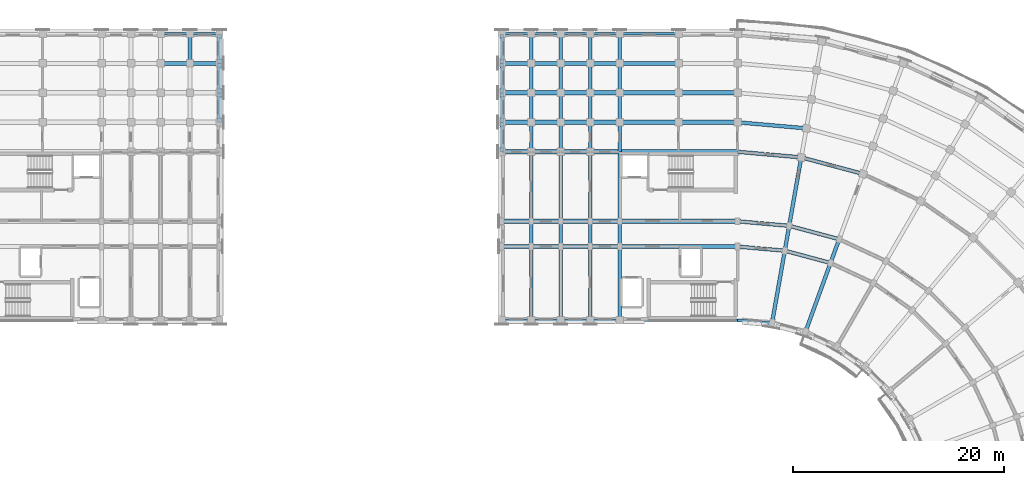
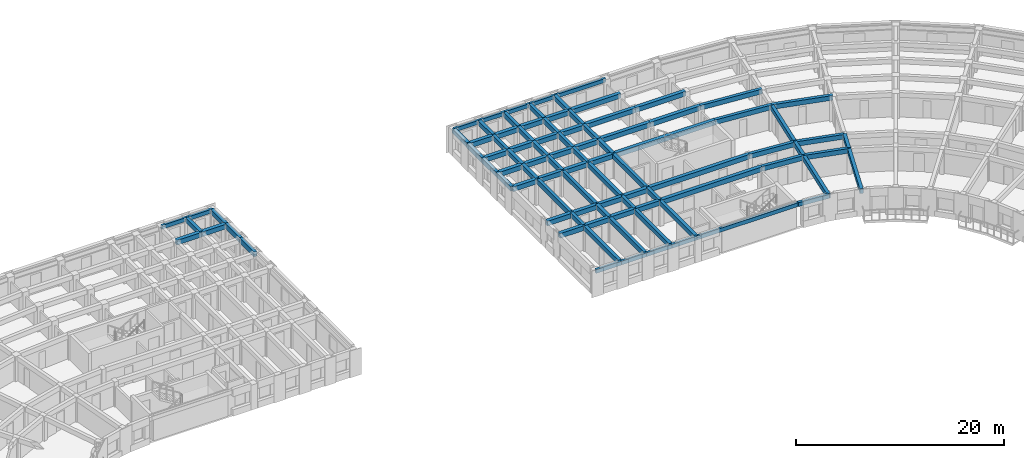
# One storey, part 10 of 54: 95 beams.
"""IFC4 building model written with IfcOpenShell, lengths in metres."""

import ifcopenshell
import ifcopenshell.guid

model = None  # the IFC model being written
_history = None  # IfcOwnerHistory: only IFC2X3 demands one
_inside = {}  # id of a spatial element -> (the spatial element, [elements in it])
_under = {}  # id of a project, library or spatial element -> (it, [spatial elements below it])
_declared = {}  # id of a project -> (the project, [libraries it declares])
_typed = {}  # id of a type object -> (the type object, [elements of that type])
_made_of = {}  # id of a material, layer set ... -> (it, [elements and type objects made of it])


def new_model(schema):
    """Start an empty IFC model of exactly this schema.

    Asked for "IFC4X3", IfcOpenShell would pick the latest addendum, in which some entities
    have other attributes; the version numbers below select the first issue.
    IFC2X3 requires an IfcOwnerHistory on every rooted entity: one is made here for all.
    """
    global model, _history
    if schema == "IFC4X3":
        model = ifcopenshell.file(schema_version=(4, 3, 0, 0))
    else:
        model = ifcopenshell.file(schema=schema)
    _inside.clear()
    _under.clear()
    _declared.clear()
    _typed.clear()
    _made_of.clear()
    _history = None
    if model.schema == "IFC2X3":
        org = make("IfcOrganization", Name="unknown")
        user = make(
            "IfcPersonAndOrganization",
            ThePerson=make("IfcPerson", FamilyName="unknown"),
            TheOrganization=org,
        )
        app = make(
            "IfcApplication",
            ApplicationDeveloper=org,
            Version="unknown",
            ApplicationFullName="unknown",
            ApplicationIdentifier="unknown",
        )
        _history = make(
            "IfcOwnerHistory",
            OwningUser=user,
            OwningApplication=app,
            ChangeAction="ADDED",
            CreationDate=0,
        )
    return model


def make(cls, **values):
    """One entity of the class cls with the attributes given. An attribute that is None is left unset."""
    return model.create_entity(
        cls, **{name: value for name, value in values.items() if value is not None}
    )


def rooted(cls, **values):
    """An entity with a GlobalId (a new one), such as an element, a storey or a relation."""
    return make(cls, GlobalId=ifcopenshell.guid.new(), OwnerHistory=_history, **values)


def si_unit(unit_type, name, prefix=None):
    """IfcSIUnit, for example si_unit("LENGTHUNIT", "METRE", prefix="MILLI")."""
    return make("IfcSIUnit", UnitType=unit_type, Prefix=prefix, Name=name)


def assignment(units):
    """IfcUnitAssignment: the units of a project."""
    return None if units is None else make("IfcUnitAssignment", Units=units)


def point(xyz):
    """IfcCartesianPoint."""
    return None if xyz is None else make("IfcCartesianPoint", Coordinates=xyz)


def direction(xyz):
    """IfcDirection."""
    return None if xyz is None else make("IfcDirection", DirectionRatios=xyz)


def frame(location, z_axis=None, x_axis=None):
    """IfcAxis2Placement3D, a coordinate frame: its origin and axes. An axis left out is left unset."""
    return make(
        "IfcAxis2Placement3D",
        Location=point(location),
        Axis=direction(z_axis),
        RefDirection=direction(x_axis),
    )


def frame_2d(location, x_axis=None):
    """IfcAxis2Placement2D, a coordinate frame in the plane: its origin and x axis."""
    return make(
        "IfcAxis2Placement2D", Location=point(location), RefDirection=direction(x_axis)
    )


def origin():
    """The frame at (0, 0, 0) with its axes left unset."""
    return frame((0.0, 0.0, 0.0))


def origin_2d():
    """The frame at (0, 0) in the plane with its x axis left unset."""
    return frame_2d((0.0, 0.0))


def place(relative_to, where):
    """IfcLocalPlacement: puts the frame where relative to a parent placement (None: the world)."""
    return make(
        "IfcLocalPlacement", PlacementRelTo=relative_to, RelativePlacement=where
    )


def context(
    kind, dimensions, precision=None, world=None, true_north=None, identifier=None
):
    """IfcGeometricRepresentationContext, for example the 3D "Model" context."""
    return make(
        "IfcGeometricRepresentationContext",
        ContextIdentifier=identifier,
        ContextType=kind,
        CoordinateSpaceDimension=dimensions,
        Precision=precision,
        WorldCoordinateSystem=world,
        TrueNorth=true_north,
    )


def subcontext(parent, identifier, kind, view, scale=None):
    """IfcGeometricRepresentationSubContext, for example "Body" below "Model"."""
    return make(
        "IfcGeometricRepresentationSubContext",
        ContextIdentifier=identifier,
        ContextType=kind,
        ParentContext=parent,
        TargetScale=scale,
        TargetView=view,
    )


def project(units=None, contexts=None):
    """IfcProject with its units and contexts."""
    return rooted(
        "IfcProject",
        Name="project",
        RepresentationContexts=contexts,
        UnitsInContext=assignment(units),
    )


def spatial(cls, under=None, at=None, **own):
    """A site, building, storey or space (cls), placed at a placement, below another one or the project."""
    s = rooted(cls, ObjectPlacement=at, **own)
    if under is not None:
        _under.setdefault(under.id(), (under, []))[1].append(s)
    return s


def profile(cls, at=None, kind="AREA", **sizes):
    """A parametric profile (cls). Its sizes go by their IFC names, for example OverallWidth=200.0."""
    return make(cls, ProfileType=kind, Position=at, **sizes)


def rectangle(**sizes):
    """IfcRectangleProfileDef."""
    return profile("IfcRectangleProfileDef", **sizes)


def extrude(swept, where, along, depth):
    """IfcExtrudedAreaSolid: the profile swept, set in the frame where, extruded along a direction by depth."""
    return make(
        "IfcExtrudedAreaSolid",
        SweptArea=swept,
        Position=where,
        ExtrudedDirection=direction(along),
        Depth=depth,
    )


def shape(context_of_items, identifier, shape_type, items):
    """IfcShapeRepresentation: the items that make up one representation, for example the "Body"."""
    return make(
        "IfcShapeRepresentation",
        ContextOfItems=context_of_items,
        RepresentationIdentifier=identifier,
        RepresentationType=shape_type,
        Items=items,
    )


def material(Name=None, Category=None):
    """IfcMaterial."""
    return make("IfcMaterial", Name=Name, Category=Category)


def material_profile(
    of_material, cross_section, Name=None, Category=None, Priority=None
):
    """IfcMaterialProfile: a cross section and its material."""
    return make(
        "IfcMaterialProfile",
        Name=Name,
        Material=of_material,
        Profile=cross_section,
        Priority=Priority,
        Category=Category,
    )


def profile_set(profiles, Name=None, composite=None):
    """IfcMaterialProfileSet."""
    return make(
        "IfcMaterialProfileSet",
        Name=Name,
        MaterialProfiles=profiles,
        CompositeProfile=composite,
    )


def made_of(thing, what):
    """Note that an element or type object is made of a material, layer set ...; save() writes the relation."""
    if what is not None:
        _made_of.setdefault(what.id(), (what, []))[1].append(thing)
    return thing


def type_object(cls, material=None, **own):
    """A type object (cls), such as IfcWallType, which elements share."""
    return made_of(rooted(cls, **own), material)


def element(
    cls,
    number,
    at=None,
    inside=None,
    cuts=None,
    type_object=None,
    material=None,
    context=None,
    identifier="Body",
    shape_type=None,
    held_by="IfcProductDefinitionShape",
    body=None,
    shapes=None,
    **own,
):
    """One element of the class cls, such as IfcWall. Its Tag is "e" and its number.

    at: its placement. inside: the storey or other place that contains it. cuts: it is an
    opening in that element (IfcRelVoidsElement). A single representation is given by context,
    identifier, shape_type and body (its items); several are given by shapes. held_by: the class
    of the entity that holds the representations. save() writes the other relations.
    """
    e = rooted(cls, Tag="e%d" % number, ObjectPlacement=at, **own)
    if body is not None:
        shapes = [shape(context, identifier, shape_type, body)]
    if shapes is not None:
        e.Representation = make(held_by, Representations=shapes)
    if inside is not None:
        _inside.setdefault(inside.id(), (inside, []))[1].append(e)
    if cuts is not None:
        rooted(
            "IfcRelVoidsElement", RelatingBuildingElement=cuts, RelatedOpeningElement=e
        )
    if type_object is not None:
        _typed.setdefault(type_object.id(), (type_object, []))[1].append(e)
    return made_of(e, material)


def aggregate(whole, parts):
    """IfcRelAggregates: a whole, such as a stair, and the parts it consists of."""
    return rooted("IfcRelAggregates", RelatingObject=whole, RelatedObjects=parts)


def save(model, path):
    """Write the relations noted so far, then the file.

    IfcRelAggregates (storeys below a building ...), IfcRelContainedInSpatialStructure (elements
    in a storey), IfcRelDefinesByType, IfcRelAssociatesMaterial and IfcRelDeclares: one each for
    every whole, place, type object, material and project.
    """
    for whole, parts in _under.values():
        aggregate(whole, parts)
    for where, things in _inside.values():
        rooted(
            "IfcRelContainedInSpatialStructure",
            RelatedElements=things,
            RelatingStructure=where,
        )
    for kind, things in _typed.values():
        rooted("IfcRelDefinesByType", RelatedObjects=things, RelatingType=kind)
    for what, things in _made_of.values():
        rooted("IfcRelAssociatesMaterial", RelatedObjects=things, RelatingMaterial=what)
    for by, libraries in _declared.values():
        rooted("IfcRelDeclares", RelatingContext=by, RelatedDefinitions=libraries)
    model.write(path)


model = new_model("IFC4")

# Units and contexts
model_context = context("Model", 3, precision=1e-05, world=origin(), true_north=direction((0.0, 1.0)))
body_context = subcontext(model_context, "Body", "Model", "MODEL_VIEW")
ifc_project = project(units=[si_unit("LENGTHUNIT", "METRE"), si_unit("AREAUNIT", "SQUARE_METRE"), si_unit("VOLUMEUNIT", "CUBIC_METRE"), si_unit("PLANEANGLEUNIT", "RADIAN"), si_unit("MASSUNIT", "GRAM", prefix="KILO")], contexts=[model_context])

# Site, building, storey
site_placement = place(None, origin())
site = spatial("IfcSite", under=ifc_project, at=site_placement, CompositionType="ELEMENT")
building_placement = place(site_placement, origin())
building = spatial("IfcBuilding", under=site, at=building_placement, Name="Kiranvali Square Residences", CompositionType="ELEMENT")
storey_placement = place(building_placement, frame((0.0, 0.0, 27.60009765625)))
storey = spatial("IfcBuildingStorey", under=building, at=storey_placement, Name="L08", CompositionType="ELEMENT", Elevation=27.60009765625)

# Beams
ifc_material_1 = material(Name="Concrete M40 (40 MPa)", Category="concrete")
ifc_material_profile_1 = material_profile(ifc_material_1, rectangle(XDim=0.35009765625, YDim=0.550048828125, at=origin_2d()), Name="RC 350x550")
ifc_profile_set_1 = profile_set([ifc_material_profile_1], Name="Concrete M40 (40 MPa)")
beam_type_1 = type_object("IfcBeamType", Name="BM-M40-350x550", PredefinedType="BEAM", material=ifc_profile_set_1)
for number, where, z_axis, x_axis, name in (
    (1, (67.800048828125, 131.0, 2.65478515625), (0.0, 1.0, 0.0), (-1.0, 0.0, 0.0), "L08 beam BM-A-L08-A1T4-67"),
    (2, (70.60009765625, 125.39990234375, 2.65478515625), (0.0, 1.0, 0.0), (-1.0, 0.0, 0.0), "L08 beam BM-A-L08-A1T5-45"),
    (3, (70.60009765625, 128.199951171875, 2.65478515625), (0.0, 1.0, 0.0), (-1.0, 0.0, 0.0), "L08 beam BM-A-L08-A1T5-56"),
    (4, (70.60009765625, 131.0, 2.65478515625), (0.0, 1.0, 0.0), (-1.0, 0.0, 0.0), "L08 beam BM-A-L08-A1T5-67"),
):
    element("IfcBeam", number, at=place(storey_placement, frame(where, z_axis=z_axis, x_axis=x_axis)), inside=storey, type_object=beam_type_1, Name=name, PredefinedType="BEAM", context=body_context, shape_type="SweptSolid", body=[
        extrude(rectangle(XDim=0.35009765625, YDim=0.550048828125, at=origin_2d()), origin(), (0.0, 0.0, 1.0), 2.800048828125),
    ])
beam_1_placement = place(storey_placement, frame((119.800048828125, 113.60009765625, 2.65478515625), z_axis=(0.996191949488, -0.087187153726, 0.0), x_axis=(0.087187153726, 0.996191949488, 0.0)))
element("IfcBeam", 5, at=beam_1_placement, inside=storey, type_object=beam_type_1, Name="L08 beam BM-B-L08-C00-R1", PredefinedType="BEAM", context=body_context, shape_type="SweptSolid", body=[
    extrude(rectangle(XDim=0.35009765625, YDim=0.550048828125, at=origin_2d()), origin(), (0.0, 0.0, 1.0), 4.4970703125),
])
beam_2_placement = place(storey_placement, frame((119.800048828125, 116.0, 2.65478515625), z_axis=(0.996193663584, -0.087167566415, 0.0), x_axis=(0.087167566415, 0.996193663584, 0.0)))
element("IfcBeam", 6, at=beam_2_placement, inside=storey, type_object=beam_type_1, Name="L08 beam BM-B-L08-C00-R2", PredefinedType="BEAM", context=body_context, shape_type="SweptSolid", body=[
    extrude(rectangle(XDim=0.35009765625, YDim=0.550048828125, at=origin_2d()), origin(), (0.0, 0.0, 1.0), 4.91552734375),
])
beam_3_placement = place(storey_placement, frame((119.800048828125, 122.60009765625, 2.65478515625), z_axis=(0.996193018494, -0.087174938512, 0.0), x_axis=(0.087174938512, 0.996193018494, 0.0)))
element("IfcBeam", 7, at=beam_3_placement, inside=storey, type_object=beam_type_1, Name="L08 beam BM-B-L08-C00-R3", PredefinedType="BEAM", context=body_context, shape_type="SweptSolid", body=[
    extrude(rectangle(XDim=0.35009765625, YDim=0.550048828125, at=origin_2d()), origin(), (0.0, 0.0, 1.0), 6.066162109375),
])
beam_4_placement = place(storey_placement, frame((119.800048828125, 125.39990234375, 2.65478515625), z_axis=(0.996196991902, -0.0871295204, 0.0), x_axis=(0.0871295204, 0.996196991902, 0.0)))
element("IfcBeam", 8, at=beam_4_placement, inside=storey, type_object=beam_type_1, Name="L08 beam BM-B-L08-C00-R4", PredefinedType="BEAM", context=body_context, shape_type="SweptSolid", body=[
    extrude(rectangle(XDim=0.35009765625, YDim=0.550048828125, at=origin_2d()), origin(), (0.0, 0.0, 1.0), 6.553955078125),
])
beam_5_placement = place(storey_placement, frame((124.280029296875, 113.2080078125, 2.65478515625), z_axis=(0.965934240054, -0.258787642463, 0.0), x_axis=(0.258787642463, 0.965934240054, 0.0)))
element("IfcBeam", 9, at=beam_5_placement, inside=storey, type_object=beam_type_1, Name="L08 beam BM-B-L08-C01-R1", PredefinedType="BEAM", context=body_context, shape_type="SweptSolid", body=[
    extrude(rectangle(XDim=0.35009765625, YDim=0.550048828125, at=origin_2d()), origin(), (0.0, 0.0, 1.0), 4.497314453125),
])
beam_6_placement = place(storey_placement, frame((124.69677734375, 115.571533203125, 2.65478515625), z_axis=(0.965930095386, -0.258803112091, 0.0), x_axis=(0.258803112091, 0.965930095386, 0.0)))
element("IfcBeam", 10, at=beam_6_placement, inside=storey, type_object=beam_type_1, Name="L08 beam BM-B-L08-C01-R2", PredefinedType="BEAM", context=body_context, shape_type="SweptSolid", body=[
    extrude(rectangle(XDim=0.35009765625, YDim=0.550048828125, at=origin_2d()), origin(), (0.0, 0.0, 1.0), 4.915771484375),
])
beam_7_placement = place(storey_placement, frame((125.843017578125, 122.0712890625, 2.65478515625), z_axis=(0.965923618901, -0.258827283048, 0.0), x_axis=(0.258827283048, 0.965923618901, 0.0)))
element("IfcBeam", 11, at=beam_7_placement, inside=storey, type_object=beam_type_1, Name="L08 beam BM-B-L08-C01-R3", PredefinedType="BEAM", context=body_context, shape_type="SweptSolid", body=[
    extrude(rectangle(XDim=0.35009765625, YDim=0.550048828125, at=origin_2d()), origin(), (0.0, 0.0, 1.0), 6.066162109375),
])
beam_8_placement = place(storey_placement, frame((123.064697265625, 106.314453125, 2.65478515625), z_axis=(0.173622177865, 0.984812337125, 0.0), x_axis=(-0.984812337125, 0.173622177865, 0.0)))
element("IfcBeam", 12, at=beam_8_placement, inside=storey, type_object=beam_type_1, Name="L08 beam BM-B-L08-RAD01-01", PredefinedType="BEAM", context=body_context, shape_type="SweptSolid", body=[
    extrude(rectangle(XDim=0.35009765625, YDim=0.550048828125, at=origin_2d()), origin(), (0.0, 0.0, 1.0), 6.999755859375),
])
beam_9_placement = place(storey_placement, frame((124.280029296875, 113.2080078125, 2.65478515625), z_axis=(0.173646056486, 0.984808127031, 0.0), x_axis=(-0.984808127031, 0.173646056486, 0.0)))
element("IfcBeam", 13, at=beam_9_placement, inside=storey, type_object=beam_type_1, Name="L08 beam BM-B-L08-RAD01-12", PredefinedType="BEAM", context=body_context, shape_type="SweptSolid", body=[
    extrude(rectangle(XDim=0.35009765625, YDim=0.550048828125, at=origin_2d()), origin(), (0.0, 0.0, 1.0), 2.39990234375),
])
beam_10_placement = place(storey_placement, frame((124.69677734375, 115.571533203125, 2.65478515625), z_axis=(0.173671381499, 0.984803661269, 0.0), x_axis=(-0.984803661269, 0.173671381499, 0.0)))
element("IfcBeam", 14, at=beam_10_placement, inside=storey, type_object=beam_type_1, Name="L08 beam BM-B-L08-RAD01-23", PredefinedType="BEAM", context=body_context, shape_type="SweptSolid", body=[
    extrude(rectangle(XDim=0.35009765625, YDim=0.550048828125, at=origin_2d()), origin(), (0.0, 0.0, 1.0), 6.60009765625),
])
beam_11_placement = place(storey_placement, frame((126.22998046875, 105.46630859375, 2.65478515625), z_axis=(0.342006283793, 0.939697665127, 0.0), x_axis=(-0.939697665127, 0.342006283793, 0.0)))
element("IfcBeam", 15, at=beam_11_placement, inside=storey, type_object=beam_type_1, Name="L08 beam BM-B-L08-RAD02-01", PredefinedType="BEAM", context=body_context, shape_type="SweptSolid", body=[
    extrude(rectangle(XDim=0.35009765625, YDim=0.550048828125, at=origin_2d()), origin(), (0.0, 0.0, 1.0), 7.0),
])
beam_12_placement = place(storey_placement, frame((128.6240234375, 112.044189453125, 2.65478515625), z_axis=(0.342110593602, 0.939659694648, 0.0), x_axis=(-0.939659694648, 0.342110593602, 0.0)))
element("IfcBeam", 16, at=beam_12_placement, inside=storey, type_object=beam_type_1, Name="L08 beam BM-B-L08-RAD02-12", PredefinedType="BEAM", context=body_context, shape_type="SweptSolid", body=[
    extrude(rectangle(XDim=0.35009765625, YDim=0.550048828125, at=origin_2d()), origin(), (0.0, 0.0, 1.0), 2.39990234375),
])
beam_13_placement = place(storey_placement, frame((108.60009765625, 106.60009765625, 2.65478515625), z_axis=(0.0, 1.0, 0.0), x_axis=(-1.0, 0.0, 0.0)))
element("IfcBeam", 17, at=beam_13_placement, inside=storey, type_object=beam_type_1, Name="L08 beam BM-B-L08-A1T1-01", PredefinedType="BEAM", context=body_context, shape_type="SweptSolid", body=[
    extrude(rectangle(XDim=0.35009765625, YDim=0.550048828125, at=origin_2d()), origin(), (0.0, 0.0, 1.0), 7.0),
])
beam_14_placement = place(storey_placement, frame((108.60009765625, 113.60009765625, 2.65478515625), z_axis=(0.0, 1.0, 0.0), x_axis=(-1.0, 0.0, 0.0)))
element("IfcBeam", 18, at=beam_14_placement, inside=storey, type_object=beam_type_1, Name="L08 beam BM-B-L08-A1T1-12", PredefinedType="BEAM", context=body_context, shape_type="SweptSolid", body=[
    extrude(rectangle(XDim=0.35009765625, YDim=0.550048828125, at=origin_2d()), origin(), (0.0, 0.0, 1.0), 2.39990234375),
])
beam_15_placement = place(storey_placement, frame((108.60009765625, 116.0, 2.65478515625), z_axis=(0.0, 1.0, 0.0), x_axis=(-1.0, 0.0, 0.0)))
element("IfcBeam", 19, at=beam_15_placement, inside=storey, type_object=beam_type_1, Name="L08 beam BM-B-L08-A1T1-23", PredefinedType="BEAM", context=body_context, shape_type="SweptSolid", body=[
    extrude(rectangle(XDim=0.35009765625, YDim=0.550048828125, at=origin_2d()), origin(), (0.0, 0.0, 1.0), 6.60009765625),
])
beam_16_placement = place(storey_placement, frame((108.60009765625, 122.60009765625, 2.65478515625), z_axis=(0.0, 1.0, 0.0), x_axis=(-1.0, 0.0, 0.0)))
element("IfcBeam", 20, at=beam_16_placement, inside=storey, type_object=beam_type_1, Name="L08 beam BM-B-L08-A1T1-34", PredefinedType="BEAM", context=body_context, shape_type="SweptSolid", body=[
    extrude(rectangle(XDim=0.35009765625, YDim=0.550048828125, at=origin_2d()), origin(), (0.0, 0.0, 1.0), 2.7998046875),
])
for number, where, z_axis, x_axis, name in (
    (21, (108.60009765625, 125.39990234375, 2.65478515625), (0.0, 1.0, 0.0), (-1.0, 0.0, 0.0), "L08 beam BM-B-L08-A1T1-45"),
    (22, (108.60009765625, 128.199951171875, 2.65478515625), (0.0, 1.0, 0.0), (-1.0, 0.0, 0.0), "L08 beam BM-B-L08-A1T1-56"),
    (23, (108.60009765625, 131.0, 2.69482421875), (0.0, 1.0, 0.0), (-1.0, 0.0, 0.0), "L08 beam BM-B-L08-A1T1-67"),
):
    element("IfcBeam", number, at=place(storey_placement, frame(where, z_axis=z_axis, x_axis=x_axis)), inside=storey, type_object=beam_type_1, Name=name, PredefinedType="BEAM", context=body_context, shape_type="SweptSolid", body=[
        extrude(rectangle(XDim=0.35009765625, YDim=0.550048828125, at=origin_2d()), origin(), (0.0, 0.0, 1.0), 2.800048828125),
    ])
beam_17_placement = place(storey_placement, frame((105.800048828125, 106.60009765625, 2.65478515625), z_axis=(0.0, 1.0, 0.0), x_axis=(-1.0, 0.0, 0.0)))
element("IfcBeam", 24, at=beam_17_placement, inside=storey, type_object=beam_type_1, Name="L08 beam BM-B-L08-A1T2-01", PredefinedType="BEAM", context=body_context, shape_type="SweptSolid", body=[
    extrude(rectangle(XDim=0.35009765625, YDim=0.550048828125, at=origin_2d()), origin(), (0.0, 0.0, 1.0), 7.0),
])
beam_18_placement = place(storey_placement, frame((105.800048828125, 113.60009765625, 2.65478515625), z_axis=(0.0, 1.0, 0.0), x_axis=(-1.0, 0.0, 0.0)))
element("IfcBeam", 25, at=beam_18_placement, inside=storey, type_object=beam_type_1, Name="L08 beam BM-B-L08-A1T2-12", PredefinedType="BEAM", context=body_context, shape_type="SweptSolid", body=[
    extrude(rectangle(XDim=0.35009765625, YDim=0.550048828125, at=origin_2d()), origin(), (0.0, 0.0, 1.0), 2.39990234375),
])
beam_19_placement = place(storey_placement, frame((105.800048828125, 116.0, 2.65478515625), z_axis=(0.0, 1.0, 0.0), x_axis=(-1.0, 0.0, 0.0)))
element("IfcBeam", 26, at=beam_19_placement, inside=storey, type_object=beam_type_1, Name="L08 beam BM-B-L08-A1T2-23", PredefinedType="BEAM", context=body_context, shape_type="SweptSolid", body=[
    extrude(rectangle(XDim=0.35009765625, YDim=0.550048828125, at=origin_2d()), origin(), (0.0, 0.0, 1.0), 6.60009765625),
])
beam_20_placement = place(storey_placement, frame((105.800048828125, 122.60009765625, 2.65478515625), z_axis=(0.0, 1.0, 0.0), x_axis=(-1.0, 0.0, 0.0)))
element("IfcBeam", 27, at=beam_20_placement, inside=storey, type_object=beam_type_1, Name="L08 beam BM-B-L08-A1T2-34", PredefinedType="BEAM", context=body_context, shape_type="SweptSolid", body=[
    extrude(rectangle(XDim=0.35009765625, YDim=0.550048828125, at=origin_2d()), origin(), (0.0, 0.0, 1.0), 2.7998046875),
])
for number, where, z_axis, x_axis, name in (
    (28, (105.800048828125, 125.39990234375, 2.65478515625), (0.0, 1.0, 0.0), (-1.0, 0.0, 0.0), "L08 beam BM-B-L08-A1T2-45"),
    (29, (105.800048828125, 128.199951171875, 2.65478515625), (0.0, 1.0, 0.0), (-1.0, 0.0, 0.0), "L08 beam BM-B-L08-A1T2-56"),
    (30, (105.800048828125, 131.0, 2.69482421875), (0.0, 1.0, 0.0), (-1.0, 0.0, 0.0), "L08 beam BM-B-L08-A1T2-67"),
):
    element("IfcBeam", number, at=place(storey_placement, frame(where, z_axis=z_axis, x_axis=x_axis)), inside=storey, type_object=beam_type_1, Name=name, PredefinedType="BEAM", context=body_context, shape_type="SweptSolid", body=[
        extrude(rectangle(XDim=0.35009765625, YDim=0.550048828125, at=origin_2d()), origin(), (0.0, 0.0, 1.0), 2.800048828125),
    ])
beam_21_placement = place(storey_placement, frame((103.0, 106.60009765625, 2.65478515625), z_axis=(0.0, 1.0, 0.0), x_axis=(-1.0, 0.0, 0.0)))
element("IfcBeam", 31, at=beam_21_placement, inside=storey, type_object=beam_type_1, Name="L08 beam BM-B-L08-A1T3-01", PredefinedType="BEAM", context=body_context, shape_type="SweptSolid", body=[
    extrude(rectangle(XDim=0.35009765625, YDim=0.550048828125, at=origin_2d()), origin(), (0.0, 0.0, 1.0), 7.0),
])
beam_22_placement = place(storey_placement, frame((103.0, 113.60009765625, 2.65478515625), z_axis=(0.0, 1.0, 0.0), x_axis=(-1.0, 0.0, 0.0)))
element("IfcBeam", 32, at=beam_22_placement, inside=storey, type_object=beam_type_1, Name="L08 beam BM-B-L08-A1T3-12", PredefinedType="BEAM", context=body_context, shape_type="SweptSolid", body=[
    extrude(rectangle(XDim=0.35009765625, YDim=0.550048828125, at=origin_2d()), origin(), (0.0, 0.0, 1.0), 2.39990234375),
])
beam_23_placement = place(storey_placement, frame((103.0, 116.0, 2.65478515625), z_axis=(0.0, 1.0, 0.0), x_axis=(-1.0, 0.0, 0.0)))
element("IfcBeam", 33, at=beam_23_placement, inside=storey, type_object=beam_type_1, Name="L08 beam BM-B-L08-A1T3-23", PredefinedType="BEAM", context=body_context, shape_type="SweptSolid", body=[
    extrude(rectangle(XDim=0.35009765625, YDim=0.550048828125, at=origin_2d()), origin(), (0.0, 0.0, 1.0), 6.60009765625),
])
beam_24_placement = place(storey_placement, frame((103.0, 122.60009765625, 2.65478515625), z_axis=(0.0, 1.0, 0.0), x_axis=(-1.0, 0.0, 0.0)))
element("IfcBeam", 34, at=beam_24_placement, inside=storey, type_object=beam_type_1, Name="L08 beam BM-B-L08-A1T3-34", PredefinedType="BEAM", context=body_context, shape_type="SweptSolid", body=[
    extrude(rectangle(XDim=0.35009765625, YDim=0.550048828125, at=origin_2d()), origin(), (0.0, 0.0, 1.0), 2.7998046875),
])
for number, where, z_axis, x_axis, name in (
    (35, (103.0, 125.39990234375, 2.65478515625), (0.0, 1.0, 0.0), (-1.0, 0.0, 0.0), "L08 beam BM-B-L08-A1T3-45"),
    (36, (103.0, 128.199951171875, 2.65478515625), (0.0, 1.0, 0.0), (-1.0, 0.0, 0.0), "L08 beam BM-B-L08-A1T3-56"),
    (37, (103.0, 131.0, 2.69482421875), (0.0, 1.0, 0.0), (-1.0, 0.0, 0.0), "L08 beam BM-B-L08-A1T3-67"),
):
    element("IfcBeam", number, at=place(storey_placement, frame(where, z_axis=z_axis, x_axis=x_axis)), inside=storey, type_object=beam_type_1, Name=name, PredefinedType="BEAM", context=body_context, shape_type="SweptSolid", body=[
        extrude(rectangle(XDim=0.35009765625, YDim=0.550048828125, at=origin_2d()), origin(), (0.0, 0.0, 1.0), 2.800048828125),
    ])
beam_25_placement = place(storey_placement, frame((100.199951171875, 106.60009765625, 2.65478515625), z_axis=(0.0, 1.0, 0.0), x_axis=(-1.0, 0.0, 0.0)))
element("IfcBeam", 38, at=beam_25_placement, inside=storey, type_object=beam_type_1, Name="L08 beam BM-B-L08-A1T4-01", PredefinedType="BEAM", context=body_context, shape_type="SweptSolid", body=[
    extrude(rectangle(XDim=0.35009765625, YDim=0.550048828125, at=origin_2d()), origin(), (0.0, 0.0, 1.0), 7.0),
])
beam_26_placement = place(storey_placement, frame((100.199951171875, 113.60009765625, 2.65478515625), z_axis=(0.0, 1.0, 0.0), x_axis=(-1.0, 0.0, 0.0)))
element("IfcBeam", 39, at=beam_26_placement, inside=storey, type_object=beam_type_1, Name="L08 beam BM-B-L08-A1T4-12", PredefinedType="BEAM", context=body_context, shape_type="SweptSolid", body=[
    extrude(rectangle(XDim=0.35009765625, YDim=0.550048828125, at=origin_2d()), origin(), (0.0, 0.0, 1.0), 2.39990234375),
])
beam_27_placement = place(storey_placement, frame((100.199951171875, 116.0, 2.65478515625), z_axis=(0.0, 1.0, 0.0), x_axis=(-1.0, 0.0, 0.0)))
element("IfcBeam", 40, at=beam_27_placement, inside=storey, type_object=beam_type_1, Name="L08 beam BM-B-L08-A1T4-23", PredefinedType="BEAM", context=body_context, shape_type="SweptSolid", body=[
    extrude(rectangle(XDim=0.35009765625, YDim=0.550048828125, at=origin_2d()), origin(), (0.0, 0.0, 1.0), 6.60009765625),
])
beam_28_placement = place(storey_placement, frame((100.199951171875, 122.60009765625, 2.65478515625), z_axis=(0.0, 1.0, 0.0), x_axis=(-1.0, 0.0, 0.0)))
element("IfcBeam", 41, at=beam_28_placement, inside=storey, type_object=beam_type_1, Name="L08 beam BM-B-L08-A1T4-34", PredefinedType="BEAM", context=body_context, shape_type="SweptSolid", body=[
    extrude(rectangle(XDim=0.35009765625, YDim=0.550048828125, at=origin_2d()), origin(), (0.0, 0.0, 1.0), 2.7998046875),
])
for number, where, z_axis, x_axis, name in (
    (42, (100.199951171875, 125.39990234375, 2.65478515625), (0.0, 1.0, 0.0), (-1.0, 0.0, 0.0), "L08 beam BM-B-L08-A1T4-45"),
    (43, (100.199951171875, 128.199951171875, 2.65478515625), (0.0, 1.0, 0.0), (-1.0, 0.0, 0.0), "L08 beam BM-B-L08-A1T4-56"),
    (44, (100.199951171875, 131.0, 2.69482421875), (0.0, 1.0, 0.0), (-1.0, 0.0, 0.0), "L08 beam BM-B-L08-A1T4-67"),
):
    element("IfcBeam", number, at=place(storey_placement, frame(where, z_axis=z_axis, x_axis=x_axis)), inside=storey, type_object=beam_type_1, Name=name, PredefinedType="BEAM", context=body_context, shape_type="SweptSolid", body=[
        extrude(rectangle(XDim=0.35009765625, YDim=0.550048828125, at=origin_2d()), origin(), (0.0, 0.0, 1.0), 2.800048828125),
    ])
beam_29_placement = place(storey_placement, frame((97.39990234375, 122.60009765625, 2.65478515625), z_axis=(0.0, 1.0, 0.0), x_axis=(-1.0, 0.0, 0.0)))
element("IfcBeam", 45, at=beam_29_placement, inside=storey, type_object=beam_type_1, Name="L08 beam BM-B-L08-A1T5-34", PredefinedType="BEAM", context=body_context, shape_type="SweptSolid", body=[
    extrude(rectangle(XDim=0.35009765625, YDim=0.550048828125, at=origin_2d()), origin(), (0.0, 0.0, 1.0), 2.7998046875),
])
for number, where, z_axis, x_axis, name in (
    (46, (97.39990234375, 125.39990234375, 2.65478515625), (0.0, 1.0, 0.0), (-1.0, 0.0, 0.0), "L08 beam BM-B-L08-A1T5-45"),
    (47, (97.39990234375, 128.199951171875, 2.65478515625), (0.0, 1.0, 0.0), (-1.0, 0.0, 0.0), "L08 beam BM-B-L08-A1T5-56"),
    (48, (97.39990234375, 131.0, 2.69482421875), (0.0, 1.0, 0.0), (-1.0, 0.0, 0.0), "L08 beam BM-B-L08-A1T5-67"),
):
    element("IfcBeam", number, at=place(storey_placement, frame(where, z_axis=z_axis, x_axis=x_axis)), inside=storey, type_object=beam_type_1, Name=name, PredefinedType="BEAM", context=body_context, shape_type="SweptSolid", body=[
        extrude(rectangle(XDim=0.35009765625, YDim=0.550048828125, at=origin_2d()), origin(), (0.0, 0.0, 1.0), 2.800048828125),
    ])
ifc_material_2 = material(Name="Concrete M45 (45 MPa)", Category="concrete")
ifc_material_profile_2 = material_profile(ifc_material_2, rectangle(XDim=0.39990234375, YDim=0.550048828125, at=origin_2d()), Name="RC 400x550")
ifc_profile_set_2 = profile_set([ifc_material_profile_2], Name="Concrete M45 (45 MPa)")
beam_type_2 = type_object("IfcBeamType", Name="BM-M45-400x550", PredefinedType="BEAM", material=ifc_profile_set_2)
for number, where, z_axis, x_axis, name in (
    (49, (65.0, 131.0, 2.65478515625), (1.0, 0.0, 0.0), (0.0, 1.0, 0.0), "L08 beam BM-A-L08-A1U4-R6"),
    (50, (67.800048828125, 131.0, 2.65478515625), (1.0, 0.0, 0.0), (0.0, 1.0, 0.0), "L08 beam BM-A-L08-A1U5-R6"),
):
    element("IfcBeam", number, at=place(storey_placement, frame(where, z_axis=z_axis, x_axis=x_axis)), inside=storey, type_object=beam_type_2, Name=name, PredefinedType="BEAM", context=body_context, shape_type="SweptSolid", body=[
        extrude(rectangle(XDim=0.39990234375, YDim=0.550048828125, at=origin_2d()), origin(), (0.0, 0.0, 1.0), 2.800048828125),
    ])
beam_30_placement = place(storey_placement, frame((119.800048828125, 113.60009765625, 2.65478515625), z_axis=(-1.0, 0.0, 0.0), x_axis=(0.0, -1.0, 0.0)))
element("IfcBeam", 51, at=beam_30_placement, inside=storey, type_object=beam_type_2, Name="L08 beam BM-B-L08-A1U0-R1", PredefinedType="BEAM", context=body_context, shape_type="SweptSolid", body=[
    extrude(rectangle(XDim=0.39990234375, YDim=0.550048828125, at=origin_2d()), origin(), (0.0, 0.0, 1.0), 11.199951171875),
])
for number, where, z_axis, x_axis, name in (
    (52, (108.60009765625, 113.60009765625, 2.65478515625), (-1.0, 0.0, 0.0), (0.0, -1.0, 0.0), "L08 beam BM-B-L08-A1U1-R1"),
    (53, (105.800048828125, 113.60009765625, 2.65478515625), (-1.0, 0.0, 0.0), (0.0, -1.0, 0.0), "L08 beam BM-B-L08-A1U2-R1"),
    (54, (103.0, 113.60009765625, 2.65478515625), (-1.0, 0.0, 0.0), (0.0, -1.0, 0.0), "L08 beam BM-B-L08-A1U3-R1"),
    (55, (100.199951171875, 113.60009765625, 2.65478515625), (-1.0, 0.0, 0.0), (0.0, -1.0, 0.0), "L08 beam BM-B-L08-A1U4-R1"),
):
    element("IfcBeam", number, at=place(storey_placement, frame(where, z_axis=z_axis, x_axis=x_axis)), inside=storey, type_object=beam_type_2, Name=name, PredefinedType="BEAM", context=body_context, shape_type="SweptSolid", body=[
        extrude(rectangle(XDim=0.39990234375, YDim=0.550048828125, at=origin_2d()), origin(), (0.0, 0.0, 1.0), 2.800048828125),
    ])
beam_31_placement = place(storey_placement, frame((119.800048828125, 116.0, 2.65478515625), z_axis=(-1.0, 0.0, 0.0), x_axis=(0.0, -1.0, 0.0)))
element("IfcBeam", 56, at=beam_31_placement, inside=storey, type_object=beam_type_2, Name="L08 beam BM-B-L08-A1U0-R2", PredefinedType="BEAM", context=body_context, shape_type="SweptSolid", body=[
    extrude(rectangle(XDim=0.39990234375, YDim=0.550048828125, at=origin_2d()), origin(), (0.0, 0.0, 1.0), 11.199951171875),
])
for number, where, z_axis, x_axis, name in (
    (57, (108.60009765625, 116.0, 2.65478515625), (-1.0, 0.0, 0.0), (0.0, -1.0, 0.0), "L08 beam BM-B-L08-A1U1-R2"),
    (58, (105.800048828125, 116.0, 2.65478515625), (-1.0, 0.0, 0.0), (0.0, -1.0, 0.0), "L08 beam BM-B-L08-A1U2-R2"),
    (59, (103.0, 116.0, 2.65478515625), (-1.0, 0.0, 0.0), (0.0, -1.0, 0.0), "L08 beam BM-B-L08-A1U3-R2"),
    (60, (100.199951171875, 116.0, 2.65478515625), (-1.0, 0.0, 0.0), (0.0, -1.0, 0.0), "L08 beam BM-B-L08-A1U4-R2"),
):
    element("IfcBeam", number, at=place(storey_placement, frame(where, z_axis=z_axis, x_axis=x_axis)), inside=storey, type_object=beam_type_2, Name=name, PredefinedType="BEAM", context=body_context, shape_type="SweptSolid", body=[
        extrude(rectangle(XDim=0.39990234375, YDim=0.550048828125, at=origin_2d()), origin(), (0.0, 0.0, 1.0), 2.800048828125),
    ])
beam_32_placement = place(storey_placement, frame((119.800048828125, 122.60009765625, 2.65478515625), z_axis=(-1.0, 0.0, 0.0), x_axis=(0.0, -1.0, 0.0)))
element("IfcBeam", 61, at=beam_32_placement, inside=storey, type_object=beam_type_2, Name="L08 beam BM-B-L08-A1U0-R3", PredefinedType="BEAM", context=body_context, shape_type="SweptSolid", body=[
    extrude(rectangle(XDim=0.39990234375, YDim=0.550048828125, at=origin_2d()), origin(), (0.0, 0.0, 1.0), 11.199951171875),
])
for number, where, z_axis, x_axis, name in (
    (62, (108.60009765625, 122.60009765625, 2.65478515625), (-1.0, 0.0, 0.0), (0.0, -1.0, 0.0), "L08 beam BM-B-L08-A1U1-R3"),
    (63, (105.800048828125, 122.60009765625, 2.65478515625), (-1.0, 0.0, 0.0), (0.0, -1.0, 0.0), "L08 beam BM-B-L08-A1U2-R3"),
    (64, (103.0, 122.60009765625, 2.65478515625), (-1.0, 0.0, 0.0), (0.0, -1.0, 0.0), "L08 beam BM-B-L08-A1U3-R3"),
    (65, (100.199951171875, 122.60009765625, 2.65478515625), (-1.0, 0.0, 0.0), (0.0, -1.0, 0.0), "L08 beam BM-B-L08-A1U4-R3"),
):
    element("IfcBeam", number, at=place(storey_placement, frame(where, z_axis=z_axis, x_axis=x_axis)), inside=storey, type_object=beam_type_2, Name=name, PredefinedType="BEAM", context=body_context, shape_type="SweptSolid", body=[
        extrude(rectangle(XDim=0.39990234375, YDim=0.550048828125, at=origin_2d()), origin(), (0.0, 0.0, 1.0), 2.800048828125),
    ])
beam_33_placement = place(storey_placement, frame((119.800048828125, 125.39990234375, 2.65478515625), z_axis=(-1.0, 0.0, 0.0), x_axis=(0.0, -1.0, 0.0)))
element("IfcBeam", 66, at=beam_33_placement, inside=storey, type_object=beam_type_2, Name="L08 beam BM-B-L08-A1U0-R4", PredefinedType="BEAM", context=body_context, shape_type="SweptSolid", body=[
    extrude(rectangle(XDim=0.39990234375, YDim=0.550048828125, at=origin_2d()), origin(), (0.0, 0.0, 1.0), 5.60009765625),
])
beam_34_placement = place(storey_placement, frame((114.199951171875, 125.39990234375, 2.65478515625), z_axis=(-1.0, 0.0, 0.0), x_axis=(0.0, -1.0, 0.0)))
element("IfcBeam", 67, at=beam_34_placement, inside=storey, type_object=beam_type_2, Name="L08 beam BM-B-L08-A1U1-R4", PredefinedType="BEAM", context=body_context, shape_type="SweptSolid", body=[
    extrude(rectangle(XDim=0.39990234375, YDim=0.550048828125, at=origin_2d()), origin(), (0.0, 0.0, 1.0), 5.599853515625),
])
for number, where, z_axis, x_axis, name in (
    (68, (108.60009765625, 125.39990234375, 2.65478515625), (-1.0, 0.0, 0.0), (0.0, -1.0, 0.0), "L08 beam BM-B-L08-A1U2-R4"),
    (69, (105.800048828125, 125.39990234375, 2.65478515625), (-1.0, 0.0, 0.0), (0.0, -1.0, 0.0), "L08 beam BM-B-L08-A1U3-R4"),
    (70, (103.0, 125.39990234375, 2.65478515625), (-1.0, 0.0, 0.0), (0.0, -1.0, 0.0), "L08 beam BM-B-L08-A1U4-R4"),
    (71, (100.199951171875, 125.39990234375, 2.65478515625), (-1.0, 0.0, 0.0), (0.0, -1.0, 0.0), "L08 beam BM-B-L08-A1U5-R4"),
):
    element("IfcBeam", number, at=place(storey_placement, frame(where, z_axis=z_axis, x_axis=x_axis)), inside=storey, type_object=beam_type_2, Name=name, PredefinedType="BEAM", context=body_context, shape_type="SweptSolid", body=[
        extrude(rectangle(XDim=0.39990234375, YDim=0.550048828125, at=origin_2d()), origin(), (0.0, 0.0, 1.0), 2.800048828125),
    ])
beam_35_placement = place(storey_placement, frame((119.800048828125, 128.199951171875, 2.65478515625), z_axis=(-1.0, 0.0, 0.0), x_axis=(0.0, -1.0, 0.0)))
element("IfcBeam", 72, at=beam_35_placement, inside=storey, type_object=beam_type_2, Name="L08 beam BM-B-L08-A1U0-R5", PredefinedType="BEAM", context=body_context, shape_type="SweptSolid", body=[
    extrude(rectangle(XDim=0.39990234375, YDim=0.550048828125, at=origin_2d()), origin(), (0.0, 0.0, 1.0), 5.60009765625),
])
beam_36_placement = place(storey_placement, frame((114.199951171875, 128.199951171875, 2.65478515625), z_axis=(-1.0, 0.0, 0.0), x_axis=(0.0, -1.0, 0.0)))
element("IfcBeam", 73, at=beam_36_placement, inside=storey, type_object=beam_type_2, Name="L08 beam BM-B-L08-A1U1-R5", PredefinedType="BEAM", context=body_context, shape_type="SweptSolid", body=[
    extrude(rectangle(XDim=0.39990234375, YDim=0.550048828125, at=origin_2d()), origin(), (0.0, 0.0, 1.0), 5.599853515625),
])
for number, where, z_axis, x_axis, name in (
    (74, (108.60009765625, 128.199951171875, 2.65478515625), (-1.0, 0.0, 0.0), (0.0, -1.0, 0.0), "L08 beam BM-B-L08-A1U2-R5"),
    (75, (105.800048828125, 128.199951171875, 2.65478515625), (-1.0, 0.0, 0.0), (0.0, -1.0, 0.0), "L08 beam BM-B-L08-A1U3-R5"),
    (76, (103.0, 128.199951171875, 2.65478515625), (-1.0, 0.0, 0.0), (0.0, -1.0, 0.0), "L08 beam BM-B-L08-A1U4-R5"),
    (77, (100.199951171875, 128.199951171875, 2.65478515625), (-1.0, 0.0, 0.0), (0.0, -1.0, 0.0), "L08 beam BM-B-L08-A1U5-R5"),
):
    element("IfcBeam", number, at=place(storey_placement, frame(where, z_axis=z_axis, x_axis=x_axis)), inside=storey, type_object=beam_type_2, Name=name, PredefinedType="BEAM", context=body_context, shape_type="SweptSolid", body=[
        extrude(rectangle(XDim=0.39990234375, YDim=0.550048828125, at=origin_2d()), origin(), (0.0, 0.0, 1.0), 2.800048828125),
    ])
beam_37_placement = place(storey_placement, frame((114.199951171875, 131.0, 2.65478515625), z_axis=(-1.0, 0.0, 0.0), x_axis=(0.0, -1.0, 0.0)))
element("IfcBeam", 78, at=beam_37_placement, inside=storey, type_object=beam_type_2, Name="L08 beam BM-B-L08-A1U1-R6", PredefinedType="BEAM", context=body_context, shape_type="SweptSolid", body=[
    extrude(rectangle(XDim=0.39990234375, YDim=0.550048828125, at=origin_2d()), origin(), (0.0, 0.0, 1.0), 5.599853515625),
])
for number, where, z_axis, x_axis, name in (
    (79, (108.60009765625, 131.0, 2.65478515625), (-1.0, 0.0, 0.0), (0.0, -1.0, 0.0), "L08 beam BM-B-L08-A1U2-R6"),
    (80, (105.800048828125, 131.0, 2.65478515625), (-1.0, 0.0, 0.0), (0.0, -1.0, 0.0), "L08 beam BM-B-L08-A1U3-R6"),
    (81, (103.0, 131.0, 2.65478515625), (-1.0, 0.0, 0.0), (0.0, -1.0, 0.0), "L08 beam BM-B-L08-A1U4-R6"),
    (82, (100.199951171875, 131.0, 2.65478515625), (-1.0, 0.0, 0.0), (0.0, -1.0, 0.0), "L08 beam BM-B-L08-A1U5-R6"),
):
    element("IfcBeam", number, at=place(storey_placement, frame(where, z_axis=z_axis, x_axis=x_axis)), inside=storey, type_object=beam_type_2, Name=name, PredefinedType="BEAM", context=body_context, shape_type="SweptSolid", body=[
        extrude(rectangle(XDim=0.39990234375, YDim=0.550048828125, at=origin_2d()), origin(), (0.0, 0.0, 1.0), 2.800048828125),
    ])
ifc_material_profile_3 = material_profile(ifc_material_1, rectangle(XDim=0.25, YDim=0.449951171875, at=origin_2d()), Name="RC 250x450")
ifc_profile_set_3 = profile_set([ifc_material_profile_3], Name="Concrete M40 (40 MPa)")
beam_type_3 = type_object("IfcBeamType", Name="SPN-M40-250x450", PredefinedType="SPANDREL", material=ifc_profile_set_3)
for number, where, z_axis, x_axis, name in (
    (83, (65.0, 133.800048828125, 2.704833984375), (1.0, 0.0, 0.0), (0.0, 1.0, 0.0), "L08 beam BM-A-L08-A1U4-R7"),
    (84, (67.800048828125, 133.800048828125, 2.704833984375), (1.0, 0.0, 0.0), (0.0, 1.0, 0.0), "L08 beam BM-A-L08-A1U5-R7"),
):
    element("IfcBeam", number, at=place(storey_placement, frame(where, z_axis=z_axis, x_axis=x_axis)), inside=storey, type_object=beam_type_3, Name=name, PredefinedType="SPANDREL", context=body_context, shape_type="SweptSolid", body=[
        extrude(rectangle(XDim=0.25, YDim=0.449951171875, at=origin_2d()), origin(), (0.0, 0.0, 1.0), 2.800048828125),
    ])
beam_38_placement = place(storey_placement, frame((119.800048828125, 106.60009765625, 2.704833984375), z_axis=(-1.0, 0.0, 0.0), x_axis=(0.0, -1.0, 0.0)))
element("IfcBeam", 85, at=beam_38_placement, inside=storey, type_object=beam_type_3, Name="L08 beam BM-B-L08-A1U0-R0", PredefinedType="SPANDREL", context=body_context, shape_type="SweptSolid", body=[
    extrude(rectangle(XDim=0.25, YDim=0.449951171875, at=origin_2d()), origin(), (0.0, 0.0, 1.0), 11.199951171875),
])
for number, where, z_axis, x_axis, name in (
    (86, (108.60009765625, 106.60009765625, 2.704833984375), (-1.0, 0.0, 0.0), (0.0, -1.0, 0.0), "L08 beam BM-B-L08-A1U1-R0"),
    (87, (105.800048828125, 106.60009765625, 2.704833984375), (-1.0, 0.0, 0.0), (0.0, -1.0, 0.0), "L08 beam BM-B-L08-A1U2-R0"),
    (88, (103.0, 106.60009765625, 2.704833984375), (-1.0, 0.0, 0.0), (0.0, -1.0, 0.0), "L08 beam BM-B-L08-A1U3-R0"),
    (89, (100.199951171875, 106.60009765625, 2.704833984375), (-1.0, 0.0, 0.0), (0.0, -1.0, 0.0), "L08 beam BM-B-L08-A1U4-R0"),
):
    element("IfcBeam", number, at=place(storey_placement, frame(where, z_axis=z_axis, x_axis=x_axis)), inside=storey, type_object=beam_type_3, Name=name, PredefinedType="SPANDREL", context=body_context, shape_type="SweptSolid", body=[
        extrude(rectangle(XDim=0.25, YDim=0.449951171875, at=origin_2d()), origin(), (0.0, 0.0, 1.0), 2.800048828125),
    ])
beam_39_placement = place(storey_placement, frame((114.199951171875, 133.800048828125, 2.744873046875), z_axis=(-1.0, 0.0, 0.0), x_axis=(0.0, -1.0, 0.0)))
element("IfcBeam", 90, at=beam_39_placement, inside=storey, type_object=beam_type_3, Name="L08 beam BM-B-L08-A1U1-R7", PredefinedType="SPANDREL", context=body_context, shape_type="SweptSolid", body=[
    extrude(rectangle(XDim=0.25, YDim=0.449951171875, at=origin_2d()), origin(), (0.0, 0.0, 1.0), 5.599853515625),
])
for number, where, z_axis, x_axis, name in (
    (91, (108.60009765625, 133.800048828125, 2.744873046875), (-1.0, 0.0, 0.0), (0.0, -1.0, 0.0), "L08 beam BM-B-L08-A1U2-R7"),
    (92, (105.800048828125, 133.800048828125, 2.744873046875), (-1.0, 0.0, 0.0), (0.0, -1.0, 0.0), "L08 beam BM-B-L08-A1U3-R7"),
    (93, (103.0, 133.800048828125, 2.744873046875), (-1.0, 0.0, 0.0), (0.0, -1.0, 0.0), "L08 beam BM-B-L08-A1U4-R7"),
    (94, (100.199951171875, 133.800048828125, 2.744873046875), (-1.0, 0.0, 0.0), (0.0, -1.0, 0.0), "L08 beam BM-B-L08-A1U5-R7"),
):
    element("IfcBeam", number, at=place(storey_placement, frame(where, z_axis=z_axis, x_axis=x_axis)), inside=storey, type_object=beam_type_3, Name=name, PredefinedType="SPANDREL", context=body_context, shape_type="SweptSolid", body=[
        extrude(rectangle(XDim=0.25, YDim=0.449951171875, at=origin_2d()), origin(), (0.0, 0.0, 1.0), 2.800048828125),
    ])
ifc_material_profile_4 = material_profile(ifc_material_1, rectangle(XDim=0.300048828125, YDim=0.449951171875, at=origin_2d()), Name="RC 300x450")
ifc_profile_set_4 = profile_set([ifc_material_profile_4], Name="Concrete M40 (40 MPa)")
beam_type_4 = type_object("IfcBeamType", Name="SPN-M40-300x450", PredefinedType="SPANDREL", material=ifc_profile_set_4)
beam_40_placement = place(storey_placement, frame((119.800048828125, 106.60009765625, 2.704833984375), z_axis=(0.996194040944, -0.087163253657, 0.0), x_axis=(0.087163253657, 0.996194040944, 0.0)))
element("IfcBeam", 95, at=beam_40_placement, inside=storey, type_object=beam_type_4, Name="L08 beam BM-B-L08-C00-R0", PredefinedType="SPANDREL", context=body_context, shape_type="SweptSolid", body=[
    extrude(rectangle(XDim=0.300048828125, YDim=0.449951171875, at=origin_2d()), origin(), (0.0, 0.0, 1.0), 3.277099609375),
])

save(model, "model.ifc")
